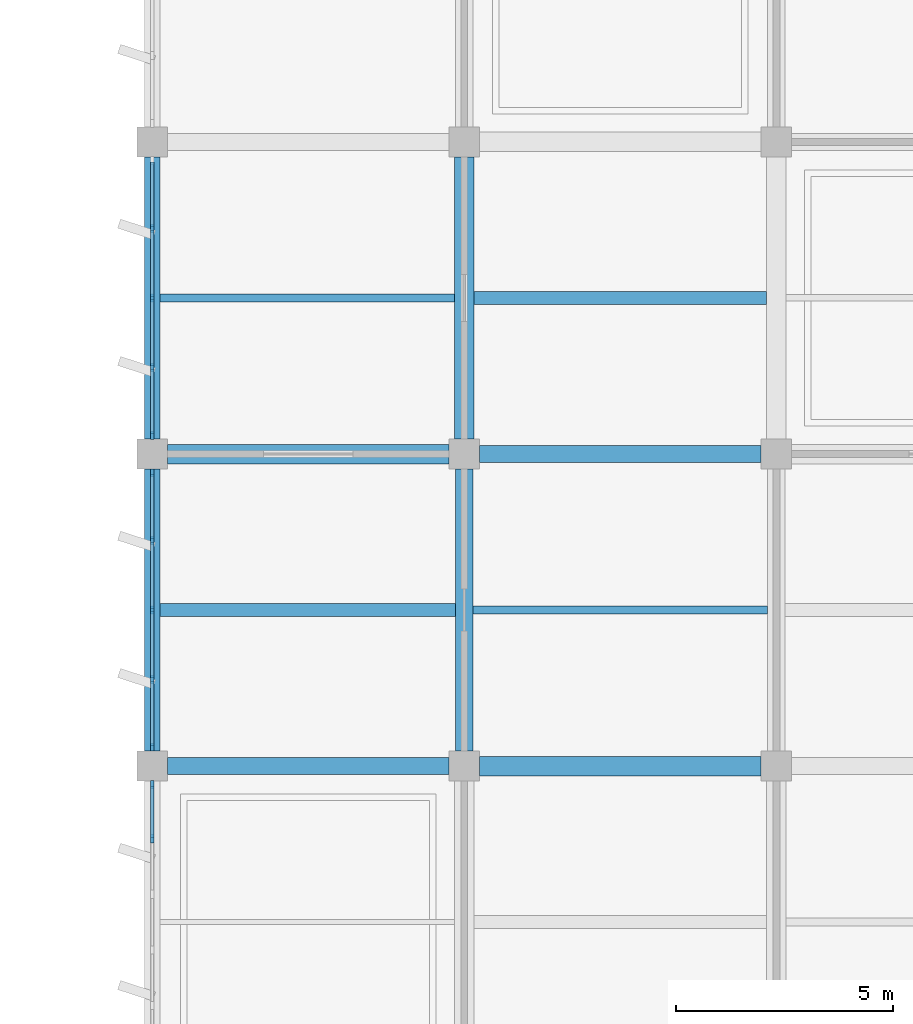
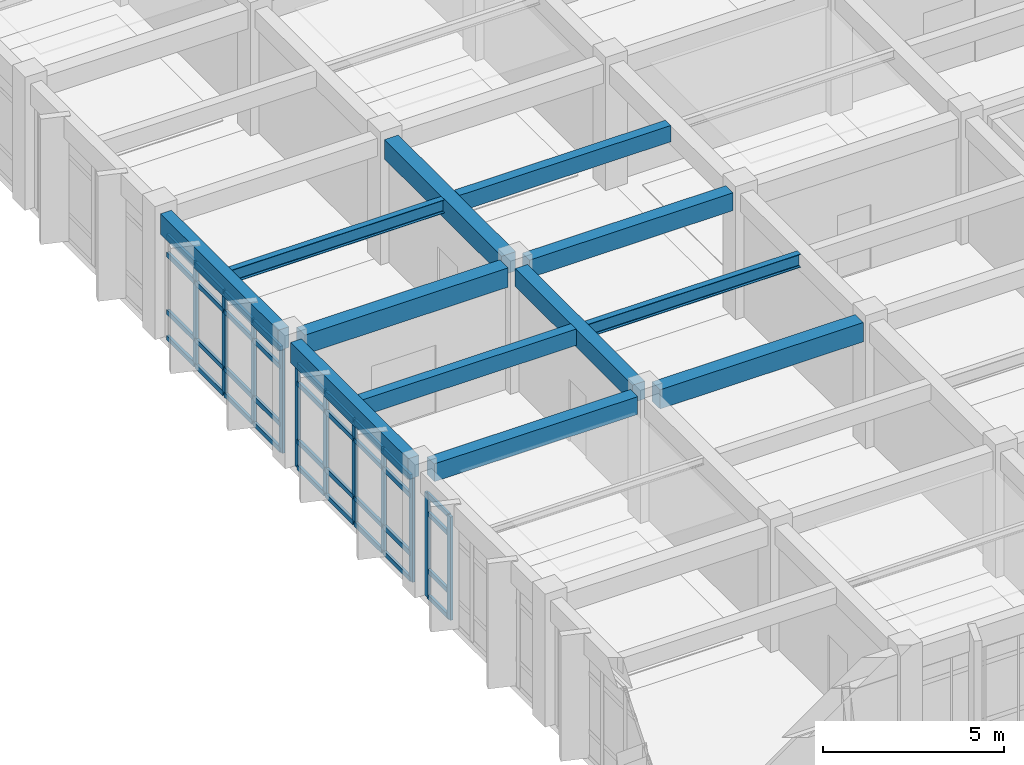
# One storey, part 22 of 81: 49 members, 10 beams, 3 elements without a shape of their own.
"""IFC4 building model written with IfcOpenShell, lengths in metres."""

from ifc_helpers import new_model, si_unit, direction, frame, origin, origin_2d, place, context, subcontext, project, spatial, rectangle, i_section, extrude, material, layer, layer_set, material_profile, profile_set, type_object, element, aggregate, save


model = new_model("IFC4")

# Units and contexts
model_context = context("Model", 3, precision=1e-05, world=origin(), true_north=direction((0.0, 1.0)))
body_context = subcontext(model_context, "Body", "Model", "MODEL_VIEW")
ifc_project = project(units=[si_unit("LENGTHUNIT", "METRE"), si_unit("AREAUNIT", "SQUARE_METRE"), si_unit("VOLUMEUNIT", "CUBIC_METRE"), si_unit("PLANEANGLEUNIT", "RADIAN"), si_unit("MASSUNIT", "GRAM", prefix="KILO")], contexts=[model_context])

# Site, building, storey
site_placement = place(None, origin())
site = spatial("IfcSite", under=ifc_project, at=site_placement, CompositionType="ELEMENT")
building_placement = place(site_placement, origin())
building = spatial("IfcBuilding", under=site, at=building_placement, Name="Kavelor Marine Aquarium", CompositionType="ELEMENT")
storey_placement = place(building_placement, frame((0.0, 0.0, 4.679931640625)))
storey = spatial("IfcBuildingStorey", under=building, at=storey_placement, Name="L01", CompositionType="ELEMENT", Elevation=4.679931640625)

# Beams
ifc_material_1 = material(Name="Concrete C40/50", Category="concrete")
ifc_material_profile_1 = material_profile(ifc_material_1, rectangle(XDim=0.449951171875, YDim=0.64990234375, at=origin_2d()), Name="RC-BM 450x650")
ifc_profile_set_1 = profile_set([ifc_material_profile_1], Name="Concrete C40/50")
beam_type_1 = type_object("IfcBeamType", Name="BM-B3", PredefinedType="BEAM", material=ifc_profile_set_1)
for number, where, z_axis, x_axis, name in (
    (1, (118.75, 74.800048828125, 3.875), (1.0, 0.0, 0.0), (0.0, 1.0, 0.0), "bm:x:L01:L02:16_10"),
    (2, (125.949951171875, 67.60009765625, 3.875), (1.0, 0.0, 0.0), (0.0, 1.0, 0.0), "bm:x:L01:L02:17_09"),
    (3, (125.60009765625, 75.14990234375, 3.875), (0.0, 1.0, 0.0), (-1.0, 0.0, 0.0), "bm:y:L01:L02:17_10"),
):
    element("IfcBeam", number, at=place(storey_placement, frame(where, z_axis=z_axis, x_axis=x_axis)), inside=storey, type_object=beam_type_1, Name=name, PredefinedType="BEAM", context=body_context, shape_type="SweptSolid", body=[
        extrude(rectangle(XDim=0.449951171875, YDim=0.64990234375, at=origin_2d()), origin(), (0.0, 0.0, 1.0), 6.5),
    ])
ifc_material_2 = material(Name="Concrete C40/50", Category="concrete")
ifc_material_profile_2 = material_profile(ifc_material_2, rectangle(XDim=0.39990234375, YDim=0.60009765625, at=origin_2d()), Name="RC-BM 400x600")
ifc_profile_set_2 = profile_set([ifc_material_profile_2], Name="Concrete C40/50")
beam_type_2 = type_object("IfcBeamType", Name="BM-B4", PredefinedType="BEAM", material=ifc_profile_set_2)
for number, where, z_axis, x_axis, name in (
    (4, (118.75, 67.60009765625, 3.900146484375), (1.0, 0.0, 0.0), (0.0, 1.0, 0.0), "bm:x:L01:L02:16_09"),
    (5, (125.949951171875, 74.800048828125, 3.900146484375), (1.0, 0.0, 0.0), (0.0, 1.0, 0.0), "bm:x:L01:L02:17_10"),
    (6, (125.60009765625, 67.949951171875, 3.900146484375), (0.0, 1.0, 0.0), (-1.0, 0.0, 0.0), "bm:y:L01:L02:17_09"),
):
    element("IfcBeam", number, at=place(storey_placement, frame(where, z_axis=z_axis, x_axis=x_axis)), inside=storey, type_object=beam_type_2, Name=name, PredefinedType="BEAM", context=body_context, shape_type="SweptSolid", body=[
        extrude(rectangle(XDim=0.39990234375, YDim=0.60009765625, at=origin_2d()), origin(), (0.0, 0.0, 1.0), 6.5),
    ])
ifc_material_3 = material(Name="Concrete C40/50", Category="concrete")
ifc_material_profile_3 = material_profile(ifc_material_3, rectangle(XDim=0.300048828125, YDim=0.550048828125, at=origin_2d()), Name="RC-JS 300x550")
ifc_profile_set_3 = profile_set([ifc_material_profile_3], Name="Concrete C40/50")
beam_type_3 = type_object("IfcBeamType", Name="BM-JS2", PredefinedType="JOIST", material=ifc_profile_set_3)
beam_1_placement = place(storey_placement, frame((118.574951171875, 71.199951171875, 3.945068359375), z_axis=(1.0, 0.0, 0.0), x_axis=(0.0, 1.0, 0.0)))
element("IfcBeam", 7, at=beam_1_placement, inside=storey, type_object=beam_type_3, Name="js:L01:L02:16_09", PredefinedType="JOIST", context=body_context, shape_type="SweptSolid", body=[
    extrude(rectangle(XDim=0.300048828125, YDim=0.550048828125, at=origin_2d()), origin(), (0.0, 0.0, 1.0), 6.824951171875),
])
beam_2_placement = place(storey_placement, frame((125.824951171875, 78.39990234375, 3.945068359375), z_axis=(1.0, 0.0, 0.0), x_axis=(0.0, 1.0, 0.0)))
element("IfcBeam", 8, at=beam_2_placement, inside=storey, type_object=beam_type_3, Name="js:L01:L02:17_10", PredefinedType="JOIST", context=body_context, shape_type="SweptSolid", body=[
    extrude(rectangle(XDim=0.300048828125, YDim=0.550048828125, at=origin_2d()), origin(), (0.0, 0.0, 1.0), 6.75),
])
ifc_material_4 = material(Name="Concrete C40/50", Category="concrete")
ifc_material_profile_4 = material_profile(ifc_material_4, rectangle(XDim=0.35009765625, YDim=0.699951171875, at=origin_2d()), Name="RC-SP 350x700")
ifc_profile_set_4 = profile_set([ifc_material_profile_4], Name="Concrete C40/50")
beam_type_4 = type_object("IfcBeamType", Name="BM-SP1", PredefinedType="SPANDREL", material=ifc_profile_set_4)
for number, where, z_axis, x_axis, name in (
    (9, (118.39990234375, 67.949951171875, 3.8701171875), (0.0, 1.0, 0.0), (-1.0, 0.0, 0.0), "bm:y:L01:L02:16_09"),
    (10, (118.39990234375, 75.14990234375, 3.85009765625), (0.0, 1.0, 0.0), (-1.0, 0.0, 0.0), "bm:y:L01:L02:16_10"),
):
    element("IfcBeam", number, at=place(storey_placement, frame(where, z_axis=z_axis, x_axis=x_axis)), inside=storey, type_object=beam_type_4, Name=name, PredefinedType="SPANDREL", context=body_context, shape_type="SweptSolid", body=[
        extrude(rectangle(XDim=0.35009765625, YDim=0.699951171875, at=origin_2d()), origin(), (0.0, 0.0, 1.0), 6.5),
    ])

# Curtain wall, members
ifc_material_5 = material(Name="Thermally Broken Aluminium and Low-E Glass", Category="aluminium")
ifc_layer_1 = layer(ifc_material_5, 0.219970703125)
ifc_layer_set_1 = layer_set([ifc_layer_1], Name="CW-SYS10")
curtain_wall_type_1 = type_object("IfcCurtainWallType", Name="CW-SYS10", PredefinedType="USERDEFINED", material=ifc_layer_set_1)
curtain_wall_1_placement = place(storey_placement, origin())
curtain_wall_1 = element("IfcCurtainWall", 11, at=curtain_wall_1_placement, inside=storey, type_object=curtain_wall_type_1, Name="cw:y:L01:16_09", ObjectType="Curtain Wall", PredefinedType="USERDEFINED")
ifc_material_6 = material(Name="Anodised Aluminium Alloy 6063-T6", Category="aluminium")
ifc_material_profile_5 = material_profile(ifc_material_6, rectangle(XDim=0.074951171875, YDim=0.179931640625, at=origin_2d()), Name="CW-MUL 75x180")
ifc_profile_set_5 = profile_set([ifc_material_profile_5], Name="Anodised Aluminium Alloy 6063-T6")
member_type_1 = type_object("IfcMemberType", Name="CWM-1", PredefinedType="MULLION", material=ifc_profile_set_5)
member_1_placement = place(storey_placement, frame((118.39990234375, 74.367431640625, 0.0), z_axis=(0.0, 0.0, 1.0), x_axis=(1.0, 0.0, 0.0)))
member_1 = element("IfcMember", 12, at=member_1_placement, type_object=member_type_1, Name="CW10 mullion 1", PredefinedType="MULLION", context=body_context, shape_type="SweptSolid", body=[
    extrude(rectangle(XDim=0.074951171875, YDim=0.179931640625, at=origin_2d()), origin(), (0.0, 0.0, 1.0), 3.510009765625),
])
member_2_placement = place(storey_placement, frame((118.39990234375, 72.802490234375, 0.0), z_axis=(0.0, 0.0, 1.0), x_axis=(1.0, 0.0, 0.0)))
member_2 = element("IfcMember", 13, at=member_2_placement, type_object=member_type_1, Name="CW10 mullion 2", PredefinedType="MULLION", context=body_context, shape_type="SweptSolid", body=[
    extrude(rectangle(XDim=0.074951171875, YDim=0.179931640625, at=origin_2d()), origin(), (0.0, 0.0, 1.0), 3.510009765625),
])
member_3_placement = place(storey_placement, frame((118.39990234375, 71.199951171875, 0.0), z_axis=(0.0, 0.0, 1.0), x_axis=(1.0, 0.0, 0.0)))
member_3 = element("IfcMember", 14, at=member_3_placement, type_object=member_type_1, Name="CW10 mullion 3", PredefinedType="MULLION", context=body_context, shape_type="SweptSolid", body=[
    extrude(rectangle(XDim=0.074951171875, YDim=0.179931640625, at=origin_2d()), origin(), (0.0, 0.0, 1.0), 3.510009765625),
])
member_4_placement = place(storey_placement, frame((118.39990234375, 69.597412109375, 0.0), z_axis=(0.0, 0.0, 1.0), x_axis=(1.0, 0.0, 0.0)))
member_4 = element("IfcMember", 15, at=member_4_placement, type_object=member_type_1, Name="CW10 mullion 4", PredefinedType="MULLION", context=body_context, shape_type="SweptSolid", body=[
    extrude(rectangle(XDim=0.074951171875, YDim=0.179931640625, at=origin_2d()), origin(), (0.0, 0.0, 1.0), 3.510009765625),
])
member_5_placement = place(storey_placement, frame((118.39990234375, 68.032470703125, 0.0), z_axis=(0.0, 0.0, 1.0), x_axis=(1.0, 0.0, 0.0)))
member_5 = element("IfcMember", 16, at=member_5_placement, type_object=member_type_1, Name="CW10 mullion 5", PredefinedType="MULLION", context=body_context, shape_type="SweptSolid", body=[
    extrude(rectangle(XDim=0.074951171875, YDim=0.179931640625, at=origin_2d()), origin(), (0.0, 0.0, 1.0), 3.510009765625),
])

ifc_material_7 = material(Name="Thermally Broken Aluminium and Low-E Glass", Category="aluminium")
ifc_layer_2 = layer(ifc_material_7, 0.22802734375)
ifc_layer_set_2 = layer_set([ifc_layer_2], Name="CW-SYS11")
curtain_wall_type_2 = type_object("IfcCurtainWallType", Name="CW-SYS11", PredefinedType="USERDEFINED", material=ifc_layer_set_2)
curtain_wall_2_placement = place(storey_placement, origin())
curtain_wall_2 = element("IfcCurtainWall", 17, at=curtain_wall_2_placement, inside=storey, type_object=curtain_wall_type_2, Name="cw:y:L01:16_10", ObjectType="Curtain Wall", PredefinedType="USERDEFINED")
ifc_material_8 = material(Name="Anodised Aluminium Alloy 6063-T6", Category="aluminium")
ifc_material_profile_6 = material_profile(ifc_material_8, rectangle(XDim=0.080078125, YDim=0.18505859375, at=origin_2d()), Name="CW-MUL 80x185")
ifc_profile_set_6 = profile_set([ifc_material_profile_6], Name="Anodised Aluminium Alloy 6063-T6")
member_type_2 = type_object("IfcMemberType", Name="CWM-2", PredefinedType="MULLION", material=ifc_profile_set_6)
member_6_placement = place(storey_placement, frame((118.39990234375, 80.00244140625, 0.0), z_axis=(0.0, 0.0, 1.0), x_axis=(1.0, 0.0, 0.0)))
member_6 = element("IfcMember", 18, at=member_6_placement, type_object=member_type_2, Name="CW11 mullion 2", PredefinedType="MULLION", context=body_context, shape_type="SweptSolid", body=[
    extrude(rectangle(XDim=0.080078125, YDim=0.18505859375, at=origin_2d()), origin(), (0.0, 0.0, 1.0), 3.489990234375),
])
member_7_placement = place(storey_placement, frame((118.39990234375, 78.39990234375, 0.0), z_axis=(0.0, 0.0, 1.0), x_axis=(1.0, 0.0, 0.0)))
member_7 = element("IfcMember", 19, at=member_7_placement, type_object=member_type_2, Name="CW11 mullion 3", PredefinedType="MULLION", context=body_context, shape_type="SweptSolid", body=[
    extrude(rectangle(XDim=0.080078125, YDim=0.18505859375, at=origin_2d()), origin(), (0.0, 0.0, 1.0), 3.489990234375),
])
member_8_placement = place(storey_placement, frame((118.39990234375, 76.797607421875, 0.0), z_axis=(0.0, 0.0, 1.0), x_axis=(1.0, 0.0, 0.0)))
member_8 = element("IfcMember", 20, at=member_8_placement, type_object=member_type_2, Name="CW11 mullion 4", PredefinedType="MULLION", context=body_context, shape_type="SweptSolid", body=[
    extrude(rectangle(XDim=0.080078125, YDim=0.18505859375, at=origin_2d()), origin(), (0.0, 0.0, 1.0), 3.489990234375),
])
member_9_placement = place(storey_placement, frame((118.39990234375, 75.2275390625, 0.0), z_axis=(0.0, 0.0, 1.0), x_axis=(1.0, 0.0, 0.0)))
member_9 = element("IfcMember", 21, at=member_9_placement, type_object=member_type_2, Name="CW11 mullion 5", PredefinedType="MULLION", context=body_context, shape_type="SweptSolid", body=[
    extrude(rectangle(XDim=0.080078125, YDim=0.18505859375, at=origin_2d()), origin(), (0.0, 0.0, 1.0), 3.489990234375),
])

ifc_material_9 = material(Name="Thermally Broken Aluminium and Low-E Glass", Category="aluminium")
ifc_layer_3 = layer(ifc_material_9, 0.2119140625)
ifc_layer_set_3 = layer_set([ifc_layer_3], Name="CW-SYS9")
curtain_wall_type_3 = type_object("IfcCurtainWallType", Name="CW-SYS9", PredefinedType="USERDEFINED", material=ifc_layer_set_3)
curtain_wall_3_placement = place(storey_placement, origin())
curtain_wall_3 = element("IfcCurtainWall", 22, at=curtain_wall_3_placement, inside=storey, type_object=curtain_wall_type_3, Name="cw:y:L01:16_08", ObjectType="Curtain Wall", PredefinedType="USERDEFINED")
ifc_material_10 = material(Name="Anodised Aluminium Alloy 6063-T6", Category="aluminium")
ifc_material_profile_7 = material_profile(ifc_material_10, rectangle(XDim=0.0849609375, YDim=0.18994140625, at=origin_2d()), Name="CW-MUL 85x190")
ifc_profile_set_7 = profile_set([ifc_material_profile_7], Name="Anodised Aluminium Alloy 6063-T6")
member_type_3 = type_object("IfcMemberType", Name="CWM-3", PredefinedType="MULLION", material=ifc_profile_set_7)
member_10_placement = place(storey_placement, frame((118.39990234375, 67.175048828125, 0.0), z_axis=(0.0, 0.0, 1.0), x_axis=(1.0, 0.0, 0.0)))
member_10 = element("IfcMember", 23, at=member_10_placement, type_object=member_type_3, Name="CW09 mullion 1", PredefinedType="MULLION", context=body_context, shape_type="SweptSolid", body=[
    extrude(rectangle(XDim=0.0849609375, YDim=0.18994140625, at=origin_2d()), origin(), (0.0, 0.0, 1.0), 3.489990234375),
])
member_11_placement = place(storey_placement, frame((118.39990234375, 65.923095703125, 0.0), z_axis=(0.0, 0.0, 1.0), x_axis=(1.0, 0.0, 0.0)))
member_11 = element("IfcMember", 24, at=member_11_placement, type_object=member_type_3, Name="CW09 mullion 2", PredefinedType="MULLION", context=body_context, shape_type="SweptSolid", body=[
    extrude(rectangle(XDim=0.0849609375, YDim=0.18994140625, at=origin_2d()), origin(), (0.0, 0.0, 1.0), 3.489990234375),
])
ifc_material_11 = material(Name="Anodised Aluminium Alloy 6063-T6", Category="aluminium")
ifc_material_profile_8 = material_profile(ifc_material_11, rectangle(XDim=0.080078125, YDim=0.155029296875, at=origin_2d()), Name="CW-TRN 80x155")
ifc_profile_set_8 = profile_set([ifc_material_profile_8], Name="Anodised Aluminium Alloy 6063-T6")
member_type_4 = type_object("IfcMemberType", Name="CWT-2", PredefinedType="USERDEFINED", material=ifc_profile_set_8)
member_12_placement = place(storey_placement, frame((118.39990234375, 67.14501953125, 0.032470703125), z_axis=(0.0, -1.0, 0.0), x_axis=(1.0, 0.0, 0.0)))
member_12 = element("IfcMember", 25, at=member_12_placement, type_object=member_type_4, Name="CW09 transom 1.1", ObjectType="TRANSOM", PredefinedType="USERDEFINED", context=body_context, shape_type="SweptSolid", body=[
    extrude(rectangle(XDim=0.080078125, YDim=0.155029296875, at=origin_2d()), origin(), (0.0, 0.0, 1.0), 1.192138671875),
])
member_13_placement = place(storey_placement, frame((118.39990234375, 67.14501953125, 0.900146484375), z_axis=(0.0, -1.0, 0.0), x_axis=(1.0, 0.0, 0.0)))
member_13 = element("IfcMember", 26, at=member_13_placement, type_object=member_type_4, Name="CW09 transom 1.2", ObjectType="TRANSOM", PredefinedType="USERDEFINED", context=body_context, shape_type="SweptSolid", body=[
    extrude(rectangle(XDim=0.080078125, YDim=0.155029296875, at=origin_2d()), origin(), (0.0, 0.0, 1.0), 1.192138671875),
])
member_14_placement = place(storey_placement, frame((118.39990234375, 67.14501953125, 2.840087890625), z_axis=(0.0, -1.0, 0.0), x_axis=(1.0, 0.0, 0.0)))
member_14 = element("IfcMember", 27, at=member_14_placement, type_object=member_type_4, Name="CW09 transom 1.3", ObjectType="TRANSOM", PredefinedType="USERDEFINED", context=body_context, shape_type="SweptSolid", body=[
    extrude(rectangle(XDim=0.080078125, YDim=0.155029296875, at=origin_2d()), origin(), (0.0, 0.0, 1.0), 1.192138671875),
])
member_15_placement = place(storey_placement, frame((118.39990234375, 67.14501953125, 3.45751953125), z_axis=(0.0, -1.0, 0.0), x_axis=(1.0, 0.0, 0.0)))
member_15 = element("IfcMember", 28, at=member_15_placement, type_object=member_type_4, Name="CW09 transom 1.4", ObjectType="TRANSOM", PredefinedType="USERDEFINED", context=body_context, shape_type="SweptSolid", body=[
    extrude(rectangle(XDim=0.080078125, YDim=0.155029296875, at=origin_2d()), origin(), (0.0, 0.0, 1.0), 1.192138671875),
])
aggregate(curtain_wall_3, [member_10, member_11, member_12, member_13, member_14, member_15])

# Member
ifc_material_12 = material(Name="Anodised Aluminium Alloy 6063-T6", Category="aluminium")
ifc_material_profile_9 = material_profile(ifc_material_12, rectangle(XDim=0.0849609375, YDim=0.159912109375, at=origin_2d()), Name="CW-TRN 85x160")
ifc_profile_set_9 = profile_set([ifc_material_profile_9], Name="Anodised Aluminium Alloy 6063-T6")
member_type_5 = type_object("IfcMemberType", Name="CWT-3", PredefinedType="USERDEFINED", material=ifc_profile_set_9)
member_16_placement = place(storey_placement, frame((118.39990234375, 74.330078125, 0.030029296875), z_axis=(0.0, -1.0, 0.0), x_axis=(1.0, 0.0, 0.0)))
member_16 = element("IfcMember", 29, at=member_16_placement, type_object=member_type_5, Name="CW10 transom 1.1", ObjectType="TRANSOM", PredefinedType="USERDEFINED", context=body_context, shape_type="SweptSolid", body=[
    extrude(rectangle(XDim=0.0849609375, YDim=0.159912109375, at=origin_2d()), origin(), (0.0, 0.0, 1.0), 1.489990234375),
])

member_17_placement = place(storey_placement, frame((118.39990234375, 74.330078125, 0.900146484375), z_axis=(0.0, -1.0, 0.0), x_axis=(1.0, 0.0, 0.0)))
member_17 = element("IfcMember", 30, at=member_17_placement, type_object=member_type_5, Name="CW10 transom 1.2", ObjectType="TRANSOM", PredefinedType="USERDEFINED", context=body_context, shape_type="SweptSolid", body=[
    extrude(rectangle(XDim=0.0849609375, YDim=0.159912109375, at=origin_2d()), origin(), (0.0, 0.0, 1.0), 1.489990234375),
])

member_18_placement = place(storey_placement, frame((118.39990234375, 74.330078125, 2.860107421875), z_axis=(0.0, -1.0, 0.0), x_axis=(1.0, 0.0, 0.0)))
member_18 = element("IfcMember", 31, at=member_18_placement, type_object=member_type_5, Name="CW10 transom 1.3", ObjectType="TRANSOM", PredefinedType="USERDEFINED", context=body_context, shape_type="SweptSolid", body=[
    extrude(rectangle(XDim=0.0849609375, YDim=0.159912109375, at=origin_2d()), origin(), (0.0, 0.0, 1.0), 1.489990234375),
])

member_19_placement = place(storey_placement, frame((118.39990234375, 74.330078125, 3.47998046875), z_axis=(0.0, -1.0, 0.0), x_axis=(1.0, 0.0, 0.0)))
member_19 = element("IfcMember", 32, at=member_19_placement, type_object=member_type_5, Name="CW10 transom 1.4", ObjectType="TRANSOM", PredefinedType="USERDEFINED", context=body_context, shape_type="SweptSolid", body=[
    extrude(rectangle(XDim=0.0849609375, YDim=0.159912109375, at=origin_2d()), origin(), (0.0, 0.0, 1.0), 1.489990234375),
])

member_20_placement = place(storey_placement, frame((118.39990234375, 72.764892578125, 0.030029296875), z_axis=(0.0, -1.0, 0.0), x_axis=(1.0, 0.0, 0.0)))
member_20 = element("IfcMember", 33, at=member_20_placement, type_object=member_type_5, Name="CW10 transom 2.1", ObjectType="TRANSOM", PredefinedType="USERDEFINED", context=body_context, shape_type="SweptSolid", body=[
    extrude(rectangle(XDim=0.0849609375, YDim=0.159912109375, at=origin_2d()), origin(), (0.0, 0.0, 1.0), 1.52734375),
])

member_21_placement = place(storey_placement, frame((118.39990234375, 72.764892578125, 0.900146484375), z_axis=(0.0, -1.0, 0.0), x_axis=(1.0, 0.0, 0.0)))
member_21 = element("IfcMember", 34, at=member_21_placement, type_object=member_type_5, Name="CW10 transom 2.2", ObjectType="TRANSOM", PredefinedType="USERDEFINED", context=body_context, shape_type="SweptSolid", body=[
    extrude(rectangle(XDim=0.0849609375, YDim=0.159912109375, at=origin_2d()), origin(), (0.0, 0.0, 1.0), 1.52734375),
])

member_22_placement = place(storey_placement, frame((118.39990234375, 72.764892578125, 2.860107421875), z_axis=(0.0, -1.0, 0.0), x_axis=(1.0, 0.0, 0.0)))
member_22 = element("IfcMember", 35, at=member_22_placement, type_object=member_type_5, Name="CW10 transom 2.3", ObjectType="TRANSOM", PredefinedType="USERDEFINED", context=body_context, shape_type="SweptSolid", body=[
    extrude(rectangle(XDim=0.0849609375, YDim=0.159912109375, at=origin_2d()), origin(), (0.0, 0.0, 1.0), 1.52734375),
])

member_23_placement = place(storey_placement, frame((118.39990234375, 72.764892578125, 3.47998046875), z_axis=(0.0, -1.0, 0.0), x_axis=(1.0, 0.0, 0.0)))
member_23 = element("IfcMember", 36, at=member_23_placement, type_object=member_type_5, Name="CW10 transom 2.4", ObjectType="TRANSOM", PredefinedType="USERDEFINED", context=body_context, shape_type="SweptSolid", body=[
    extrude(rectangle(XDim=0.0849609375, YDim=0.159912109375, at=origin_2d()), origin(), (0.0, 0.0, 1.0), 1.52734375),
])

member_24_placement = place(storey_placement, frame((118.39990234375, 71.16259765625, 0.030029296875), z_axis=(0.0, -1.0, 0.0), x_axis=(1.0, 0.0, 0.0)))
member_24 = element("IfcMember", 37, at=member_24_placement, type_object=member_type_5, Name="CW10 transom 3.1", ObjectType="TRANSOM", PredefinedType="USERDEFINED", context=body_context, shape_type="SweptSolid", body=[
    extrude(rectangle(XDim=0.0849609375, YDim=0.159912109375, at=origin_2d()), origin(), (0.0, 0.0, 1.0), 1.527587890625),
])

member_25_placement = place(storey_placement, frame((118.39990234375, 71.16259765625, 0.900146484375), z_axis=(0.0, -1.0, 0.0), x_axis=(1.0, 0.0, 0.0)))
member_25 = element("IfcMember", 38, at=member_25_placement, type_object=member_type_5, Name="CW10 transom 3.2", ObjectType="TRANSOM", PredefinedType="USERDEFINED", context=body_context, shape_type="SweptSolid", body=[
    extrude(rectangle(XDim=0.0849609375, YDim=0.159912109375, at=origin_2d()), origin(), (0.0, 0.0, 1.0), 1.527587890625),
])

member_26_placement = place(storey_placement, frame((118.39990234375, 71.16259765625, 2.860107421875), z_axis=(0.0, -1.0, 0.0), x_axis=(1.0, 0.0, 0.0)))
member_26 = element("IfcMember", 39, at=member_26_placement, type_object=member_type_5, Name="CW10 transom 3.3", ObjectType="TRANSOM", PredefinedType="USERDEFINED", context=body_context, shape_type="SweptSolid", body=[
    extrude(rectangle(XDim=0.0849609375, YDim=0.159912109375, at=origin_2d()), origin(), (0.0, 0.0, 1.0), 1.527587890625),
])

member_27_placement = place(storey_placement, frame((118.39990234375, 71.16259765625, 3.47998046875), z_axis=(0.0, -1.0, 0.0), x_axis=(1.0, 0.0, 0.0)))
member_27 = element("IfcMember", 40, at=member_27_placement, type_object=member_type_5, Name="CW10 transom 3.4", ObjectType="TRANSOM", PredefinedType="USERDEFINED", context=body_context, shape_type="SweptSolid", body=[
    extrude(rectangle(XDim=0.0849609375, YDim=0.159912109375, at=origin_2d()), origin(), (0.0, 0.0, 1.0), 1.527587890625),
])

member_28_placement = place(storey_placement, frame((118.39990234375, 69.56005859375, 0.030029296875), z_axis=(0.0, -1.0, 0.0), x_axis=(1.0, 0.0, 0.0)))
member_28 = element("IfcMember", 41, at=member_28_placement, type_object=member_type_5, Name="CW10 transom 4.1", ObjectType="TRANSOM", PredefinedType="USERDEFINED", context=body_context, shape_type="SweptSolid", body=[
    extrude(rectangle(XDim=0.0849609375, YDim=0.159912109375, at=origin_2d()), origin(), (0.0, 0.0, 1.0), 1.489990234375),
])

member_29_placement = place(storey_placement, frame((118.39990234375, 69.56005859375, 0.900146484375), z_axis=(0.0, -1.0, 0.0), x_axis=(1.0, 0.0, 0.0)))
member_29 = element("IfcMember", 42, at=member_29_placement, type_object=member_type_5, Name="CW10 transom 4.2", ObjectType="TRANSOM", PredefinedType="USERDEFINED", context=body_context, shape_type="SweptSolid", body=[
    extrude(rectangle(XDim=0.0849609375, YDim=0.159912109375, at=origin_2d()), origin(), (0.0, 0.0, 1.0), 1.489990234375),
])

member_30_placement = place(storey_placement, frame((118.39990234375, 69.56005859375, 2.860107421875), z_axis=(0.0, -1.0, 0.0), x_axis=(1.0, 0.0, 0.0)))
member_30 = element("IfcMember", 43, at=member_30_placement, type_object=member_type_5, Name="CW10 transom 4.3", ObjectType="TRANSOM", PredefinedType="USERDEFINED", context=body_context, shape_type="SweptSolid", body=[
    extrude(rectangle(XDim=0.0849609375, YDim=0.159912109375, at=origin_2d()), origin(), (0.0, 0.0, 1.0), 1.489990234375),
])

member_31_placement = place(storey_placement, frame((118.39990234375, 69.56005859375, 3.47998046875), z_axis=(0.0, -1.0, 0.0), x_axis=(1.0, 0.0, 0.0)))
member_31 = element("IfcMember", 44, at=member_31_placement, type_object=member_type_5, Name="CW10 transom 4.4", ObjectType="TRANSOM", PredefinedType="USERDEFINED", context=body_context, shape_type="SweptSolid", body=[
    extrude(rectangle(XDim=0.0849609375, YDim=0.159912109375, at=origin_2d()), origin(), (0.0, 0.0, 1.0), 1.489990234375),
])

aggregate(curtain_wall_1, [member_1, member_2, member_3, member_4, member_5, member_16, member_17, member_18, member_19, member_20, member_21, member_22, member_23, member_24, member_25, member_26, member_27, member_28, member_29, member_30, member_31])

member_32_placement = place(storey_placement, frame((118.39990234375, 81.5400390625, 0.030029296875), z_axis=(0.0, -1.0, 0.0), x_axis=(1.0, 0.0, 0.0)))
member_32 = element("IfcMember", 45, at=member_32_placement, type_object=member_type_5, Name="CW11 transom 1.1", ObjectType="TRANSOM", PredefinedType="USERDEFINED", context=body_context, shape_type="SweptSolid", body=[
    extrude(rectangle(XDim=0.0849609375, YDim=0.159912109375, at=origin_2d()), origin(), (0.0, 0.0, 1.0), 1.505126953125),
])

member_33_placement = place(storey_placement, frame((118.39990234375, 81.5400390625, 0.900146484375), z_axis=(0.0, -1.0, 0.0), x_axis=(1.0, 0.0, 0.0)))
member_33 = element("IfcMember", 46, at=member_33_placement, type_object=member_type_5, Name="CW11 transom 1.2", ObjectType="TRANSOM", PredefinedType="USERDEFINED", context=body_context, shape_type="SweptSolid", body=[
    extrude(rectangle(XDim=0.0849609375, YDim=0.159912109375, at=origin_2d()), origin(), (0.0, 0.0, 1.0), 1.505126953125),
])

member_34_placement = place(storey_placement, frame((118.39990234375, 81.5400390625, 2.840087890625), z_axis=(0.0, -1.0, 0.0), x_axis=(1.0, 0.0, 0.0)))
member_34 = element("IfcMember", 47, at=member_34_placement, type_object=member_type_5, Name="CW11 transom 1.3", ObjectType="TRANSOM", PredefinedType="USERDEFINED", context=body_context, shape_type="SweptSolid", body=[
    extrude(rectangle(XDim=0.0849609375, YDim=0.159912109375, at=origin_2d()), origin(), (0.0, 0.0, 1.0), 1.505126953125),
])

member_35_placement = place(storey_placement, frame((118.39990234375, 81.5400390625, 3.4599609375), z_axis=(0.0, -1.0, 0.0), x_axis=(1.0, 0.0, 0.0)))
member_35 = element("IfcMember", 48, at=member_35_placement, type_object=member_type_5, Name="CW11 transom 1.4", ObjectType="TRANSOM", PredefinedType="USERDEFINED", context=body_context, shape_type="SweptSolid", body=[
    extrude(rectangle(XDim=0.0849609375, YDim=0.159912109375, at=origin_2d()), origin(), (0.0, 0.0, 1.0), 1.505126953125),
])

member_36_placement = place(storey_placement, frame((118.39990234375, 79.969970703125, 0.030029296875), z_axis=(0.0, -1.0, 0.0), x_axis=(1.0, 0.0, 0.0)))
member_36 = element("IfcMember", 49, at=member_36_placement, type_object=member_type_5, Name="CW11 transom 2.1", ObjectType="TRANSOM", PredefinedType="USERDEFINED", context=body_context, shape_type="SweptSolid", body=[
    extrude(rectangle(XDim=0.0849609375, YDim=0.159912109375, at=origin_2d()), origin(), (0.0, 0.0, 1.0), 1.537353515625),
])

member_37_placement = place(storey_placement, frame((118.39990234375, 79.969970703125, 0.900146484375), z_axis=(0.0, -1.0, 0.0), x_axis=(1.0, 0.0, 0.0)))
member_37 = element("IfcMember", 50, at=member_37_placement, type_object=member_type_5, Name="CW11 transom 2.2", ObjectType="TRANSOM", PredefinedType="USERDEFINED", context=body_context, shape_type="SweptSolid", body=[
    extrude(rectangle(XDim=0.0849609375, YDim=0.159912109375, at=origin_2d()), origin(), (0.0, 0.0, 1.0), 1.537353515625),
])

member_38_placement = place(storey_placement, frame((118.39990234375, 79.969970703125, 2.840087890625), z_axis=(0.0, -1.0, 0.0), x_axis=(1.0, 0.0, 0.0)))
member_38 = element("IfcMember", 51, at=member_38_placement, type_object=member_type_5, Name="CW11 transom 2.3", ObjectType="TRANSOM", PredefinedType="USERDEFINED", context=body_context, shape_type="SweptSolid", body=[
    extrude(rectangle(XDim=0.0849609375, YDim=0.159912109375, at=origin_2d()), origin(), (0.0, 0.0, 1.0), 1.537353515625),
])

member_39_placement = place(storey_placement, frame((118.39990234375, 79.969970703125, 3.4599609375), z_axis=(0.0, -1.0, 0.0), x_axis=(1.0, 0.0, 0.0)))
member_39 = element("IfcMember", 52, at=member_39_placement, type_object=member_type_5, Name="CW11 transom 2.4", ObjectType="TRANSOM", PredefinedType="USERDEFINED", context=body_context, shape_type="SweptSolid", body=[
    extrude(rectangle(XDim=0.0849609375, YDim=0.159912109375, at=origin_2d()), origin(), (0.0, 0.0, 1.0), 1.537353515625),
])

member_40_placement = place(storey_placement, frame((118.39990234375, 78.367431640625, 0.030029296875), z_axis=(0.0, -1.0, 0.0), x_axis=(1.0, 0.0, 0.0)))
member_40 = element("IfcMember", 53, at=member_40_placement, type_object=member_type_5, Name="CW11 transom 3.1", ObjectType="TRANSOM", PredefinedType="USERDEFINED", context=body_context, shape_type="SweptSolid", body=[
    extrude(rectangle(XDim=0.0849609375, YDim=0.159912109375, at=origin_2d()), origin(), (0.0, 0.0, 1.0), 1.537353515625),
])

member_41_placement = place(storey_placement, frame((118.39990234375, 78.367431640625, 0.900146484375), z_axis=(0.0, -1.0, 0.0), x_axis=(1.0, 0.0, 0.0)))
member_41 = element("IfcMember", 54, at=member_41_placement, type_object=member_type_5, Name="CW11 transom 3.2", ObjectType="TRANSOM", PredefinedType="USERDEFINED", context=body_context, shape_type="SweptSolid", body=[
    extrude(rectangle(XDim=0.0849609375, YDim=0.159912109375, at=origin_2d()), origin(), (0.0, 0.0, 1.0), 1.537353515625),
])

member_42_placement = place(storey_placement, frame((118.39990234375, 78.367431640625, 2.840087890625), z_axis=(0.0, -1.0, 0.0), x_axis=(1.0, 0.0, 0.0)))
member_42 = element("IfcMember", 55, at=member_42_placement, type_object=member_type_5, Name="CW11 transom 3.3", ObjectType="TRANSOM", PredefinedType="USERDEFINED", context=body_context, shape_type="SweptSolid", body=[
    extrude(rectangle(XDim=0.0849609375, YDim=0.159912109375, at=origin_2d()), origin(), (0.0, 0.0, 1.0), 1.537353515625),
])

member_43_placement = place(storey_placement, frame((118.39990234375, 78.367431640625, 3.4599609375), z_axis=(0.0, -1.0, 0.0), x_axis=(1.0, 0.0, 0.0)))
member_43 = element("IfcMember", 56, at=member_43_placement, type_object=member_type_5, Name="CW11 transom 3.4", ObjectType="TRANSOM", PredefinedType="USERDEFINED", context=body_context, shape_type="SweptSolid", body=[
    extrude(rectangle(XDim=0.0849609375, YDim=0.159912109375, at=origin_2d()), origin(), (0.0, 0.0, 1.0), 1.537353515625),
])

member_44_placement = place(storey_placement, frame((118.39990234375, 76.764892578125, 0.030029296875), z_axis=(0.0, -1.0, 0.0), x_axis=(1.0, 0.0, 0.0)))
member_44 = element("IfcMember", 57, at=member_44_placement, type_object=member_type_5, Name="CW11 transom 4.1", ObjectType="TRANSOM", PredefinedType="USERDEFINED", context=body_context, shape_type="SweptSolid", body=[
    extrude(rectangle(XDim=0.0849609375, YDim=0.159912109375, at=origin_2d()), origin(), (0.0, 0.0, 1.0), 1.5048828125),
])

member_45_placement = place(storey_placement, frame((118.39990234375, 76.764892578125, 0.900146484375), z_axis=(0.0, -1.0, 0.0), x_axis=(1.0, 0.0, 0.0)))
member_45 = element("IfcMember", 58, at=member_45_placement, type_object=member_type_5, Name="CW11 transom 4.2", ObjectType="TRANSOM", PredefinedType="USERDEFINED", context=body_context, shape_type="SweptSolid", body=[
    extrude(rectangle(XDim=0.0849609375, YDim=0.159912109375, at=origin_2d()), origin(), (0.0, 0.0, 1.0), 1.5048828125),
])

member_46_placement = place(storey_placement, frame((118.39990234375, 76.764892578125, 2.840087890625), z_axis=(0.0, -1.0, 0.0), x_axis=(1.0, 0.0, 0.0)))
member_46 = element("IfcMember", 59, at=member_46_placement, type_object=member_type_5, Name="CW11 transom 4.3", ObjectType="TRANSOM", PredefinedType="USERDEFINED", context=body_context, shape_type="SweptSolid", body=[
    extrude(rectangle(XDim=0.0849609375, YDim=0.159912109375, at=origin_2d()), origin(), (0.0, 0.0, 1.0), 1.5048828125),
])

member_47_placement = place(storey_placement, frame((118.39990234375, 76.764892578125, 3.4599609375), z_axis=(0.0, -1.0, 0.0), x_axis=(1.0, 0.0, 0.0)))
member_47 = element("IfcMember", 60, at=member_47_placement, type_object=member_type_5, Name="CW11 transom 4.4", ObjectType="TRANSOM", PredefinedType="USERDEFINED", context=body_context, shape_type="SweptSolid", body=[
    extrude(rectangle(XDim=0.0849609375, YDim=0.159912109375, at=origin_2d()), origin(), (0.0, 0.0, 1.0), 1.5048828125),
])

aggregate(curtain_wall_2, [member_6, member_7, member_8, member_9, member_32, member_33, member_34, member_35, member_36, member_37, member_38, member_39, member_40, member_41, member_42, member_43, member_44, member_45, member_46, member_47])

# Members
ifc_material_13 = material(Name="Steel S355", Category="steel")
ifc_material_profile_10 = material_profile(ifc_material_13, i_section(OverallWidth=0.18994140625, OverallDepth=0.449951171875, WebThickness=0.009521484375, FlangeThickness=0.0146484375, FilletRadius=0.02099609375, at=origin_2d()), Name="IPE 450")
ifc_profile_set_10 = profile_set([ifc_material_profile_10], Name="Steel S355")
member_type_6 = type_object("IfcMemberType", Name="PR-SJ2", PredefinedType="PURLIN", material=ifc_profile_set_10)
for number, where, z_axis, x_axis, name in (
    (61, (118.574951171875, 78.39990234375, 3.97509765625), (1.0, 0.0, 0.0), (0.0, 1.0, 0.0), "js:L01:L02:16_10"),
    (62, (125.800048828125, 71.199951171875, 3.97509765625), (1.0, 0.0, 0.0), (0.0, 1.0, 0.0), "js:L01:L02:17_09"),
):
    element("IfcMember", number, at=place(storey_placement, frame(where, z_axis=z_axis, x_axis=x_axis)), inside=storey, type_object=member_type_6, Name=name, PredefinedType="PURLIN", context=body_context, shape_type="SweptSolid", body=[
        extrude(i_section(OverallWidth=0.18994140625, OverallDepth=0.449951171875, WebThickness=0.009521484375, FlangeThickness=0.0146484375, FilletRadius=0.02099609375, at=origin_2d()), origin(), (0.0, 0.0, 1.0), 6.800048828125),
    ])

save(model, "model.ifc")
